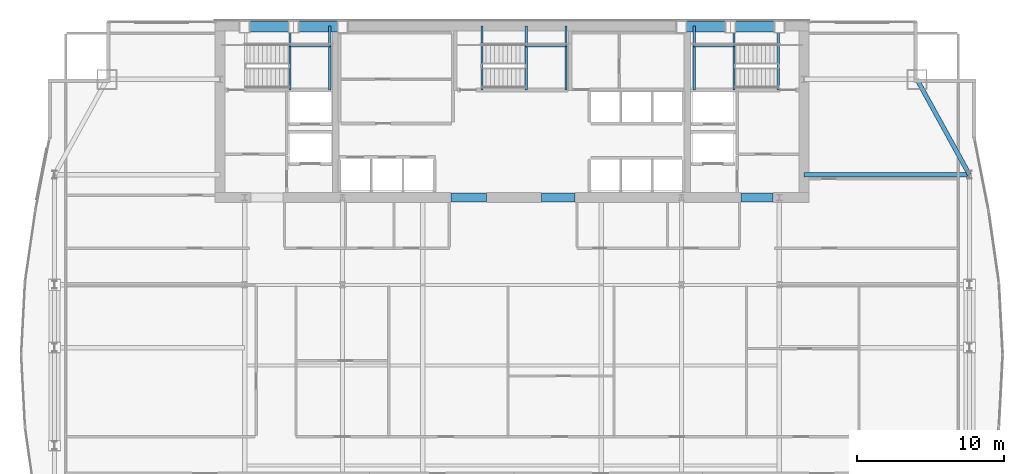
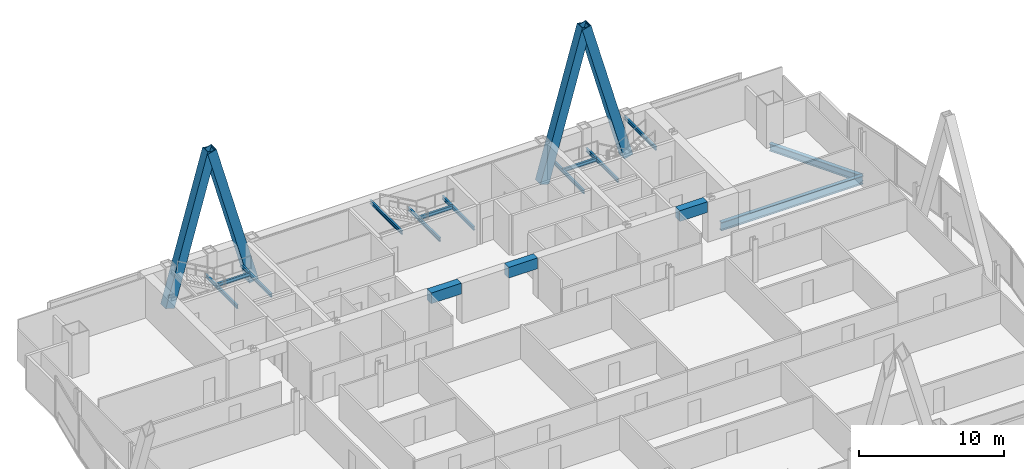
# One storey, part 20 of 31: 16 beams, 4 members.
"""IFC4 building model written with IfcOpenShell, lengths in metres."""

from ifc_helpers import new_model, si_unit, direction, frame, origin, origin_2d, place, context, subcontext, project, spatial, rectangle, hollow_rectangle, i_section, extrude, material, material_profile, profile_set, type_object, element, save


model = new_model("IFC4")

# Units and contexts
model_context = context("Model", 3, precision=1e-05, world=origin(), true_north=direction((0.0, 1.0)))
body_context = subcontext(model_context, "Body", "Model", "MODEL_VIEW")
ifc_project = project(units=[si_unit("LENGTHUNIT", "METRE"), si_unit("AREAUNIT", "SQUARE_METRE"), si_unit("VOLUMEUNIT", "CUBIC_METRE"), si_unit("PLANEANGLEUNIT", "RADIAN"), si_unit("MASSUNIT", "GRAM", prefix="KILO")], contexts=[model_context])

# Site, building, storey
site_placement = place(None, origin())
site = spatial("IfcSite", under=ifc_project, at=site_placement, CompositionType="ELEMENT")
building_placement = place(site_placement, origin())
building = spatial("IfcBuilding", under=site, at=building_placement, Name="Khoronbel Lancet Exchange", CompositionType="ELEMENT")
storey_placement = place(building_placement, frame((0.0, 0.0, 168.60009765625)))
storey = spatial("IfcBuildingStorey", under=building, at=storey_placement, Name="L42", CompositionType="ELEMENT", Elevation=168.60009765625)

# Beams
ifc_material_1 = material(Name="Steel S355", Category="steel")
ifc_material_profile_1 = material_profile(ifc_material_1, i_section(OverallWidth=0.300048828125, OverallDepth=0.699951171875, WebThickness=0.01708984375, FlangeThickness=0.031982421875, at=origin_2d()), Name="HEB 700")
ifc_profile_set_1 = profile_set([ifc_material_profile_1], Name="Steel S355")
beam_type_1 = type_object("IfcBeamType", Name="BM-BG3", PredefinedType="BEAM", material=ifc_profile_set_1)
beam_1_placement = place(storey_placement, frame((56.35009765625, 43.199951171875, -0.510009765625), z_axis=(1.0, 0.0, 0.0), x_axis=(0.0, 1.0, 0.0)))
element("IfcBeam", 1, at=beam_1_placement, inside=storey, type_object=beam_type_1, Name="Level L42 east lens tie girder LG3E", PredefinedType="BEAM", context=body_context, shape_type="SweptSolid", body=[
    extrude(i_section(OverallWidth=0.300048828125, OverallDepth=0.699951171875, WebThickness=0.01708984375, FlangeThickness=0.031982421875, at=origin_2d()), origin(), (0.0, 0.0, 1.0), 11.27978515625),
])
ifc_material_profile_2 = material_profile(ifc_material_1, i_section(OverallWidth=0.14990234375, OverallDepth=0.300048828125, WebThickness=0.007080078125, FlangeThickness=0.0107421875, at=origin_2d()), Name="IPE 300")
ifc_profile_set_2 = profile_set([ifc_material_profile_2], Name="Steel S355")
beam_type_2 = type_object("IfcBeamType", Name="BM-BJ8", PredefinedType="JOIST", material=ifc_profile_set_2)
for number, where, z_axis, x_axis, name in (
    (2, (21.320068359375, 48.97998046875, 1.449951171875), (0.0, 1.0, 0.0), (-1.0, 0.0, 0.0), "Level L42 stair ST1 landing bearer beam 1"),
    (3, (24.030029296875, 48.97998046875, 1.449951171875), (0.0, 1.0, 0.0), (-1.0, 0.0, 0.0), "Level L42 stair ST1 rear landing bearer beam 1"),
):
    element("IfcBeam", number, at=place(storey_placement, frame(where, z_axis=z_axis, x_axis=x_axis)), inside=storey, type_object=beam_type_2, Name=name, PredefinedType="JOIST", context=body_context, shape_type="SweptSolid", body=[
        extrude(i_section(OverallWidth=0.14990234375, OverallDepth=0.300048828125, WebThickness=0.007080078125, FlangeThickness=0.0107421875, at=origin_2d()), origin(), (0.0, 0.0, 1.0), 4.3701171875),
    ])
beam_2_placement = place(storey_placement, frame((21.320068359375, 51.97998046875, 1.449951171875), z_axis=(1.0, 0.0, 0.0), x_axis=(0.0, 1.0, 0.0)))
element("IfcBeam", 4, at=beam_2_placement, inside=storey, type_object=beam_type_2, Name="Level L42 stair ST1 landing cross trimmer beam 1", PredefinedType="JOIST", context=body_context, shape_type="SweptSolid", body=[
    extrude(i_section(OverallWidth=0.14990234375, OverallDepth=0.300048828125, WebThickness=0.007080078125, FlangeThickness=0.0107421875, at=origin_2d()), origin(), (0.0, 0.0, 1.0), 2.7099609375),
])
for number, where, z_axis, x_axis, name in (
    (5, (51.580078125, 48.97998046875, 1.449951171875), (0.0, 1.0, 0.0), (-1.0, 0.0, 0.0), "Level L42 stair ST2 landing bearer beam 1"),
    (6, (48.8701171875, 48.97998046875, 1.449951171875), (0.0, 1.0, 0.0), (-1.0, 0.0, 0.0), "Level L42 stair ST2 rear landing bearer beam 1"),
):
    element("IfcBeam", number, at=place(storey_placement, frame(where, z_axis=z_axis, x_axis=x_axis)), inside=storey, type_object=beam_type_2, Name=name, PredefinedType="JOIST", context=body_context, shape_type="SweptSolid", body=[
        extrude(i_section(OverallWidth=0.14990234375, OverallDepth=0.300048828125, WebThickness=0.007080078125, FlangeThickness=0.0107421875, at=origin_2d()), origin(), (0.0, 0.0, 1.0), 4.3701171875),
    ])
beam_3_placement = place(storey_placement, frame((48.8701171875, 51.97998046875, 1.449951171875), z_axis=(1.0, 0.0, 0.0), x_axis=(0.0, 1.0, 0.0)))
element("IfcBeam", 7, at=beam_3_placement, inside=storey, type_object=beam_type_2, Name="Level L42 stair ST2 landing cross trimmer beam 1", PredefinedType="JOIST", context=body_context, shape_type="SweptSolid", body=[
    extrude(i_section(OverallWidth=0.14990234375, OverallDepth=0.300048828125, WebThickness=0.007080078125, FlangeThickness=0.0107421875, at=origin_2d()), origin(), (0.0, 0.0, 1.0), 2.7099609375),
])
for number, where, z_axis, x_axis, name in (
    (8, (54.60009765625, 48.97998046875, 3.099853515625), (0.0, 1.0, 0.0), (-1.0, 0.0, 0.0), "Level L42 stair ST2 upper-flight arrival trimmer beam"),
    (9, (37.419921875, 48.97998046875, 1.449951171875), (0.0, 1.0, 0.0), (-1.0, 0.0, 0.0), "Level L42 stair ST3 landing bearer beam 1"),
    (10, (40.1298828125, 48.97998046875, 1.449951171875), (0.0, 1.0, 0.0), (-1.0, 0.0, 0.0), "Level L42 stair ST3 rear landing bearer beam 1"),
):
    element("IfcBeam", number, at=place(storey_placement, frame(where, z_axis=z_axis, x_axis=x_axis)), inside=storey, type_object=beam_type_2, Name=name, PredefinedType="JOIST", context=body_context, shape_type="SweptSolid", body=[
        extrude(i_section(OverallWidth=0.14990234375, OverallDepth=0.300048828125, WebThickness=0.007080078125, FlangeThickness=0.0107421875, at=origin_2d()), origin(), (0.0, 0.0, 1.0), 4.3701171875),
    ])
beam_4_placement = place(storey_placement, frame((37.419921875, 51.97998046875, 1.449951171875), z_axis=(1.0, 0.0, 0.0), x_axis=(0.0, 1.0, 0.0)))
element("IfcBeam", 11, at=beam_4_placement, inside=storey, type_object=beam_type_2, Name="Level L42 stair ST3 landing cross trimmer beam 1", PredefinedType="JOIST", context=body_context, shape_type="SweptSolid", body=[
    extrude(i_section(OverallWidth=0.14990234375, OverallDepth=0.300048828125, WebThickness=0.007080078125, FlangeThickness=0.0107421875, at=origin_2d()), origin(), (0.0, 0.0, 1.0), 2.7099609375),
])
beam_5_placement = place(storey_placement, frame((34.39990234375, 48.97998046875, 3.099853515625), z_axis=(0.0, 1.0, 0.0), x_axis=(-1.0, 0.0, 0.0)))
element("IfcBeam", 12, at=beam_5_placement, inside=storey, type_object=beam_type_2, Name="Level L42 stair ST3 upper-flight arrival trimmer beam", PredefinedType="JOIST", context=body_context, shape_type="SweptSolid", body=[
    extrude(i_section(OverallWidth=0.14990234375, OverallDepth=0.300048828125, WebThickness=0.007080078125, FlangeThickness=0.0107421875, at=origin_2d()), origin(), (0.0, 0.0, 1.0), 4.3701171875),
])
ifc_material_2 = material(Name="Concrete C80/95", Category="concrete")
ifc_material_profile_3 = material_profile(ifc_material_2, rectangle(XDim=0.60009765625, YDim=0.89990234375, at=origin_2d()), Name="RC 600x900")
ifc_profile_set_3 = profile_set([ifc_material_profile_3], Name="Concrete C80/95")
beam_type_3 = type_object("IfcBeamType", Name="BM-BL1", PredefinedType="LINTEL", material=ifc_profile_set_3)
beam_6_placement = place(storey_placement, frame((32.300048828125, 41.64990234375, 2.929931640625), z_axis=(1.0, 0.0, 0.0), x_axis=(0.0, 1.0, 0.0)))
element("IfcBeam", 13, at=beam_6_placement, inside=storey, type_object=beam_type_3, Name="Level L42 rear core coupling lintel L2", PredefinedType="LINTEL", context=body_context, shape_type="SweptSolid", body=[
    extrude(rectangle(XDim=0.60009765625, YDim=0.89990234375, at=origin_2d()), origin(), (0.0, 0.0, 1.0), 2.39990234375),
])
beam_7_placement = place(storey_placement, frame((38.449951171875, 41.64990234375, 2.929931640625), z_axis=(1.0, 0.0, 0.0), x_axis=(0.0, 1.0, 0.0)))
element("IfcBeam", 14, at=beam_7_placement, inside=storey, type_object=beam_type_3, Name="Level L42 rear core coupling lintel L3", PredefinedType="LINTEL", context=body_context, shape_type="SweptSolid", body=[
    extrude(rectangle(XDim=0.60009765625, YDim=0.89990234375, at=origin_2d()), origin(), (0.0, 0.0, 1.0), 2.300048828125),
])
beam_8_placement = place(storey_placement, frame((52.050048828125, 41.64990234375, 2.929931640625), z_axis=(1.0, 0.0, 0.0), x_axis=(0.0, 1.0, 0.0)))
element("IfcBeam", 15, at=beam_8_placement, inside=storey, type_object=beam_type_3, Name="Level L42 rear core coupling lintel L4", PredefinedType="LINTEL", context=body_context, shape_type="SweptSolid", body=[
    extrude(rectangle(XDim=0.60009765625, YDim=0.89990234375, at=origin_2d()), origin(), (0.0, 0.0, 1.0), 2.199951171875),
])
ifc_material_profile_4 = material_profile(ifc_material_1, i_section(OverallWidth=0.300048828125, OverallDepth=0.60009765625, WebThickness=0.015380859375, FlangeThickness=0.030029296875, at=origin_2d()), Name="HEB 600")
ifc_profile_set_4 = profile_set([ifc_material_profile_4], Name="Steel S355")
beam_type_4 = type_object("IfcBeamType", Name="BM-BSP2", PredefinedType="SPANDREL", material=ifc_profile_set_4)
beam_9_placement = place(storey_placement, frame((67.6298828125, 43.199951171875, -0.460205078125), z_axis=(-0.482418808117, 0.875940690672, 0.0), x_axis=(-0.875940690672, -0.482418808117, 0.0)))
element("IfcBeam", 16, at=beam_9_placement, inside=storey, type_object=beam_type_4, Name="Level L42 perimeter spandrel beam SP15", PredefinedType="SPANDREL", context=body_context, shape_type="SweptSolid", body=[
    extrude(i_section(OverallWidth=0.300048828125, OverallDepth=0.60009765625, WebThickness=0.015380859375, FlangeThickness=0.030029296875, at=origin_2d()), origin(), (0.0, 0.0, 1.0), 7.420654296875),
])

# Members
ifc_material_3 = material(Name="Steel S460", Category="steel")
ifc_material_profile_5 = material_profile(ifc_material_3, hollow_rectangle(XDim=0.719970703125, YDim=0.719970703125, WallThickness=0.050048828125, at=origin_2d()), Name="BOX 720x720x50")
ifc_profile_set_5 = profile_set([ifc_material_profile_5], Name="Steel S460")
member_type = type_object("IfcMemberType", Name="MEM-MB2", PredefinedType="BRACE", material=ifc_profile_set_5)
for number, where, z_axis, x_axis, name in (
    (17, (18.22509765625, 53.280029296875, 0.0), (0.267947134133, 0.0, 0.963433616452), (0.0, 1.0, 0.0), "Perimeter lancet brace tier 14 N-W-L"),
    (18, (24.89990234375, 53.280029296875, 0.0), (-0.267947134133, 0.0, 0.963433616452), (0.0, -1.0, 0.0), "Perimeter lancet brace tier 14 N-W-R"),
    (19, (48.0, 53.280029296875, 0.0), (0.267947134133, 0.0, 0.963433616452), (0.0, 1.0, 0.0), "Perimeter lancet brace tier 14 N-E-L"),
    (20, (54.675048828125, 53.280029296875, 0.0), (-0.267965327822, 0.0, 0.963428556295), (0.0, -1.0, 0.0), "Perimeter lancet brace tier 14 N-E-R"),
):
    element("IfcMember", number, at=place(storey_placement, frame(where, z_axis=z_axis, x_axis=x_axis)), inside=storey, type_object=member_type, Name=name, PredefinedType="BRACE", context=body_context, shape_type="SweptSolid", body=[
        extrude(hollow_rectangle(XDim=0.719970703125, YDim=0.719970703125, WallThickness=0.050048828125, at=origin_2d()), origin(), (0.0, 0.0, 1.0), 12.45556640625),
    ])

save(model, "model.ifc")
